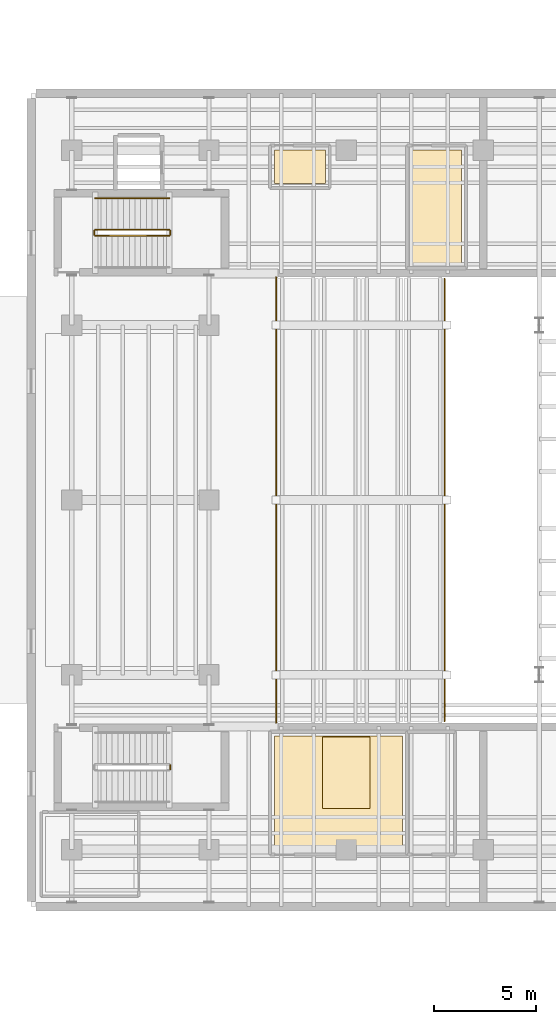
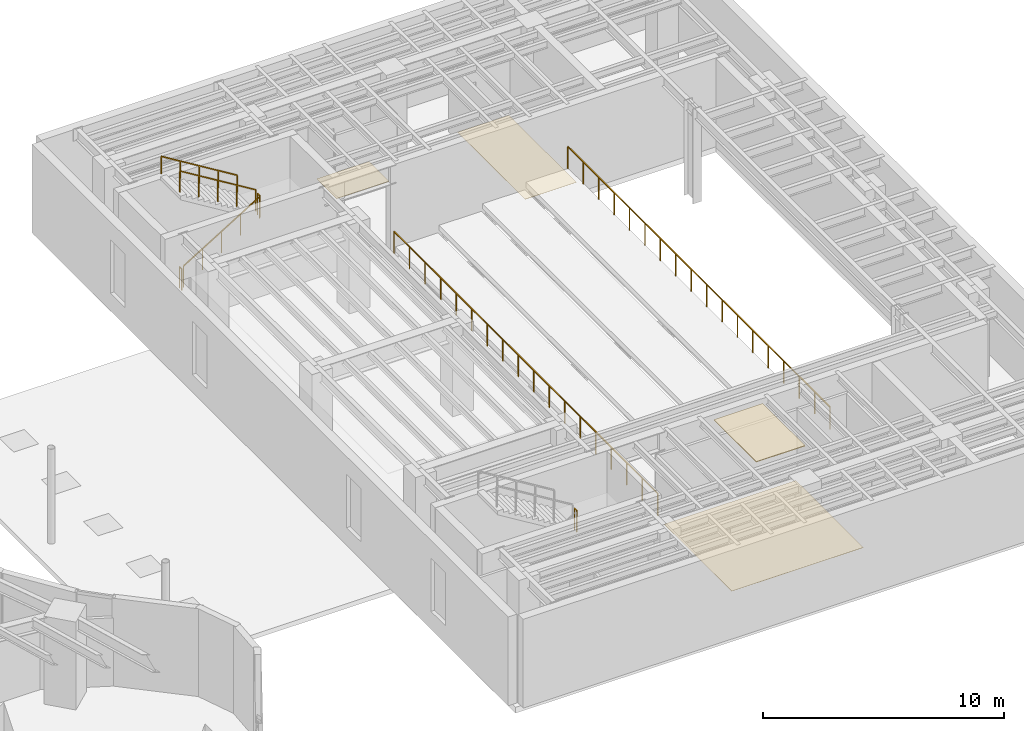
# One storey, part 24 of 24: 8 railings, 4 coverings.
"""IFC4 building model written with IfcOpenShell, lengths in metres."""

from ifc_helpers import new_model, si_unit, direction, frame, origin, origin_2d, place, context, subcontext, project, spatial, polyline, rectangle, outline, extrude, material, layer, layer_set, type_object, element, save


model = new_model("IFC4")

# Units and contexts
model_context = context("Model", 3, precision=1e-05, world=origin(), true_north=direction((0.0, 1.0)))
body_context = subcontext(model_context, "Body", "Model", "MODEL_VIEW")
ifc_project = project(units=[si_unit("LENGTHUNIT", "METRE"), si_unit("AREAUNIT", "SQUARE_METRE"), si_unit("VOLUMEUNIT", "CUBIC_METRE"), si_unit("PLANEANGLEUNIT", "RADIAN"), si_unit("MASSUNIT", "GRAM", prefix="KILO")], contexts=[model_context])

# Site, building, storey
site_placement = place(None, origin())
site = spatial("IfcSite", under=ifc_project, at=site_placement, CompositionType="ELEMENT")
building_placement = place(site_placement, origin())
building = spatial("IfcBuilding", under=site, at=building_placement, Name="Korentha Bioscience Tower", CompositionType="ELEMENT")
storey_placement = place(building_placement, frame((0.0, 0.0, 10.199951171875)))
storey = spatial("IfcBuildingStorey", under=building, at=storey_placement, Name="L02", CompositionType="ELEMENT", Elevation=10.199951171875)

# Covering
ifc_material_1 = material(Name="Vitrified Porcelain Tile", Category="ceramic")
ifc_layer_1 = layer(ifc_material_1, 0.014892578125, Name="Vitrified Porcelain Tile")
ifc_layer_set_1 = layer_set([ifc_layer_1], Name="Vitrified Porcelain Tile (FL-CER)")
covering_type_1 = type_object("IfcCoveringType", Name="Anti-Slip Ceramic Wet-Room Tile Flooring 15", PredefinedType="FLOORING", material=ifc_layer_set_1)
covering_1_placement = place(storey_placement, origin())
element("IfcCovering", 1, at=covering_1_placement, inside=storey, type_object=covering_type_1, Name="L02 L02 Theatre Accessible WC Floor Finish", PredefinedType="FLOORING", context=body_context, shape_type="SweptSolid", body=[
    extrude(outline(polyline([(76.469970703125, 42.570068359375), (76.469970703125, 44.219970703125), (78.97998046875, 44.219970703125), (78.97998046875, 42.570068359375), (76.469970703125, 42.570068359375)])), origin(), (0.0, 0.0, 1.0), 0.01513671875),
])

# Railings
ifc_material_2 = material(Name="Stainless Steel 304", Category="steel")
railing_type_1 = type_object("IfcRailingType", Name="Brushed Stainless Stair Handrail 900", PredefinedType="HANDRAIL", material=ifc_material_2)
railing_1_placement = place(storey_placement, frame((71.2900390625, 41.85009765625, 2.571533203125)))
element("IfcRailing", 2, at=railing_1_placement, inside=storey, type_object=railing_type_1, Name="L02 ST-T2 stair handrail 2", PredefinedType="HANDRAIL", context=body_context, shape_type="SweptSolid", body=[
    extrude(rectangle(XDim=0.048095703125, YDim=0.048095703125, at=origin_2d()), frame((0.0, 0.0, 0.8759765625), z_axis=(-0.852865859571, 0.0, 0.52213008492), x_axis=(0.0, -1.0, 0.0)), (0.0, 0.0, 1.0), 4.26806640625),
    extrude(rectangle(XDim=0.0419921875, YDim=0.0419921875, at=origin_2d()), origin(), (0.0, 0.0, 1.0), 0.851806640625),
    extrude(rectangle(XDim=0.0419921875, YDim=0.0419921875, at=origin_2d()), frame((-0.91015625, 0.0, 0.55712890625)), (0.0, 0.0, 1.0), 0.851806640625),
    extrude(rectangle(XDim=0.0419921875, YDim=0.0419921875, at=origin_2d()), frame((-1.820068359375, 0.0, 1.1142578125)), (0.0, 0.0, 1.0), 0.851806640625),
    extrude(rectangle(XDim=0.0419921875, YDim=0.0419921875, at=origin_2d()), frame((-2.72998046875, 0.0, 1.67138671875)), (0.0, 0.0, 1.0), 0.851806640625),
    extrude(rectangle(XDim=0.0419921875, YDim=0.0419921875, at=origin_2d()), frame((-3.64013671875, 0.0, 2.228515625)), (0.0, 0.0, 1.0), 0.851806640625),
])
ifc_material_3 = material(Name="Laminated Tempered Safety Glass", Category="glass")
railing_type_2 = type_object("IfcRailingType", Name="Laminated Glass Balcony Guardrail 1150", PredefinedType="BALUSTRADE", material=ifc_material_3)
railing_2_placement = place(storey_placement, frame((76.550048828125, 16.050048828125, 0.0)))
element("IfcRailing", 3, at=railing_2_placement, inside=storey, type_object=railing_type_2, Name="L02 Auditorium Seating Tier Front Balustrade", PredefinedType="BALUSTRADE", context=body_context, shape_type="SweptSolid", body=[
    extrude(rectangle(XDim=0.048095703125, YDim=0.048095703125, at=origin_2d()), frame((0.0, 0.0, 1.1259765625), z_axis=(0.0, 1.0, 0.0), x_axis=(-1.0, 0.0, 0.0)), (0.0, 0.0, 1.0), 21.89990234375),
    extrude(rectangle(XDim=0.0419921875, YDim=0.0419921875, at=origin_2d()), origin(), (0.0, 0.0, 1.0), 1.101806640625),
    extrude(rectangle(XDim=0.0419921875, YDim=0.0419921875, at=origin_2d()), frame((0.0, 1.288330078125, 0.0)), (0.0, 0.0, 1.0), 1.101806640625),
    extrude(rectangle(XDim=0.0419921875, YDim=0.0419921875, at=origin_2d()), frame((0.0, 2.576416015625, 0.0)), (0.0, 0.0, 1.0), 1.101806640625),
    extrude(rectangle(XDim=0.0419921875, YDim=0.0419921875, at=origin_2d()), frame((0.0, 3.86474609375, 0.0)), (0.0, 0.0, 1.0), 1.101806640625),
    extrude(rectangle(XDim=0.0419921875, YDim=0.0419921875, at=origin_2d()), frame((0.0, 5.15283203125, 0.0)), (0.0, 0.0, 1.0), 1.101806640625),
    extrude(rectangle(XDim=0.0419921875, YDim=0.0419921875, at=origin_2d()), frame((0.0, 6.441162109375, 0.0)), (0.0, 0.0, 1.0), 1.101806640625),
    extrude(rectangle(XDim=0.0419921875, YDim=0.0419921875, at=origin_2d()), frame((0.0, 7.7294921875, 0.0)), (0.0, 0.0, 1.0), 1.101806640625),
    extrude(rectangle(XDim=0.0419921875, YDim=0.0419921875, at=origin_2d()), frame((0.0, 9.017578125, 0.0)), (0.0, 0.0, 1.0), 1.101806640625),
    extrude(rectangle(XDim=0.0419921875, YDim=0.0419921875, at=origin_2d()), frame((0.0, 10.305908203125, 0.0)), (0.0, 0.0, 1.0), 1.101806640625),
    extrude(rectangle(XDim=0.0419921875, YDim=0.0419921875, at=origin_2d()), frame((0.0, 11.593994140625, 0.0)), (0.0, 0.0, 1.0), 1.101806640625),
    extrude(rectangle(XDim=0.0419921875, YDim=0.0419921875, at=origin_2d()), frame((0.0, 12.88232421875, 0.0)), (0.0, 0.0, 1.0), 1.101806640625),
    extrude(rectangle(XDim=0.0419921875, YDim=0.0419921875, at=origin_2d()), frame((0.0, 14.17041015625, 0.0)), (0.0, 0.0, 1.0), 1.101806640625),
    extrude(rectangle(XDim=0.0419921875, YDim=0.0419921875, at=origin_2d()), frame((0.0, 15.458740234375, 0.0)), (0.0, 0.0, 1.0), 1.101806640625),
    extrude(rectangle(XDim=0.0419921875, YDim=0.0419921875, at=origin_2d()), frame((0.0, 16.7470703125, 0.0)), (0.0, 0.0, 1.0), 1.101806640625),
    extrude(rectangle(XDim=0.0419921875, YDim=0.0419921875, at=origin_2d()), frame((0.0, 18.03515625, 0.0)), (0.0, 0.0, 1.0), 1.101806640625),
    extrude(rectangle(XDim=0.0419921875, YDim=0.0419921875, at=origin_2d()), frame((0.0, 19.323486328125, 0.0)), (0.0, 0.0, 1.0), 1.101806640625),
    extrude(rectangle(XDim=0.0419921875, YDim=0.0419921875, at=origin_2d()), frame((0.0, 20.611572265625, 0.0)), (0.0, 0.0, 1.0), 1.101806640625),
    extrude(rectangle(XDim=0.0419921875, YDim=0.0419921875, at=origin_2d()), frame((0.0, 21.89990234375, 0.0)), (0.0, 0.0, 1.0), 1.101806640625),
])
railing_3_placement = place(storey_placement, frame((84.840087890625, 16.1201171875, 1.43994140625)))
element("IfcRailing", 4, at=railing_3_placement, inside=storey, type_object=railing_type_2, Name="L02 Auditorium Upper Tier Balcony Balustrade", PredefinedType="BALUSTRADE", context=body_context, shape_type="SweptSolid", body=[
    extrude(rectangle(XDim=0.048095703125, YDim=0.048095703125, at=origin_2d()), frame((0.0, 0.0, 1.1259765625), z_axis=(0.0, 1.0, 0.0), x_axis=(-1.0, 0.0, 0.0)), (0.0, 0.0, 1.0), 21.759765625),
    extrude(rectangle(XDim=0.0419921875, YDim=0.0419921875, at=origin_2d()), origin(), (0.0, 0.0, 1.0), 1.101806640625),
    extrude(rectangle(XDim=0.0419921875, YDim=0.0419921875, at=origin_2d()), frame((0.0, 1.280029296875, 0.0)), (0.0, 0.0, 1.0), 1.101806640625),
    extrude(rectangle(XDim=0.0419921875, YDim=0.0419921875, at=origin_2d()), frame((0.0, 2.56005859375, 0.0)), (0.0, 0.0, 1.0), 1.101806640625),
    extrude(rectangle(XDim=0.0419921875, YDim=0.0419921875, at=origin_2d()), frame((0.0, 3.83984375, 0.0)), (0.0, 0.0, 1.0), 1.101806640625),
    extrude(rectangle(XDim=0.0419921875, YDim=0.0419921875, at=origin_2d()), frame((0.0, 5.119873046875, 0.0)), (0.0, 0.0, 1.0), 1.101806640625),
    extrude(rectangle(XDim=0.0419921875, YDim=0.0419921875, at=origin_2d()), frame((0.0, 6.39990234375, 0.0)), (0.0, 0.0, 1.0), 1.101806640625),
    extrude(rectangle(XDim=0.0419921875, YDim=0.0419921875, at=origin_2d()), frame((0.0, 7.679931640625, 0.0)), (0.0, 0.0, 1.0), 1.101806640625),
    extrude(rectangle(XDim=0.0419921875, YDim=0.0419921875, at=origin_2d()), frame((0.0, 8.9599609375, 0.0)), (0.0, 0.0, 1.0), 1.101806640625),
    extrude(rectangle(XDim=0.0419921875, YDim=0.0419921875, at=origin_2d()), frame((0.0, 10.239990234375, 0.0)), (0.0, 0.0, 1.0), 1.101806640625),
    extrude(rectangle(XDim=0.0419921875, YDim=0.0419921875, at=origin_2d()), frame((0.0, 11.519775390625, 0.0)), (0.0, 0.0, 1.0), 1.101806640625),
    extrude(rectangle(XDim=0.0419921875, YDim=0.0419921875, at=origin_2d()), frame((0.0, 12.7998046875, 0.0)), (0.0, 0.0, 1.0), 1.101806640625),
    extrude(rectangle(XDim=0.0419921875, YDim=0.0419921875, at=origin_2d()), frame((0.0, 14.079833984375, 0.0)), (0.0, 0.0, 1.0), 1.101806640625),
    extrude(rectangle(XDim=0.0419921875, YDim=0.0419921875, at=origin_2d()), frame((0.0, 15.35986328125, 0.0)), (0.0, 0.0, 1.0), 1.101806640625),
    extrude(rectangle(XDim=0.0419921875, YDim=0.0419921875, at=origin_2d()), frame((0.0, 16.639892578125, 0.0)), (0.0, 0.0, 1.0), 1.101806640625),
    extrude(rectangle(XDim=0.0419921875, YDim=0.0419921875, at=origin_2d()), frame((0.0, 17.919921875, 0.0)), (0.0, 0.0, 1.0), 1.101806640625),
    extrude(rectangle(XDim=0.0419921875, YDim=0.0419921875, at=origin_2d()), frame((0.0, 19.19970703125, 0.0)), (0.0, 0.0, 1.0), 1.101806640625),
    extrude(rectangle(XDim=0.0419921875, YDim=0.0419921875, at=origin_2d()), frame((0.0, 20.479736328125, 0.0)), (0.0, 0.0, 1.0), 1.101806640625),
    extrude(rectangle(XDim=0.0419921875, YDim=0.0419921875, at=origin_2d()), frame((0.0, 21.759765625, 0.0)), (0.0, 0.0, 1.0), 1.101806640625),
])

# Covering
ifc_material_4 = material(Name="Antimicrobial Mineral Fibre Board", Category="gypsum")
ifc_layer_2 = layer(ifc_material_4, 0.034912109375, Name="Antimicrobial Mineral Fibre Board")
ifc_layer_set_2 = layer_set([ifc_layer_2], Name="Antimicrobial Mineral Fibre Board (CL-MF35)")
covering_type_2 = type_object("IfcCoveringType", Name="Mineral-Fibre Cleanroom Suspended Ceiling 35", PredefinedType="CEILING", material=ifc_layer_set_2)
covering_2_placement = place(storey_placement, frame((0.0, 0.0, 4.465087890625)))
element("IfcCovering", 5, at=covering_2_placement, inside=storey, type_object=covering_type_2, Name="L02 L02 Soloists' Dressing Suite Acoustic Ceiling", PredefinedType="CEILING", context=body_context, shape_type="SweptSolid", body=[
    extrude(outline(polyline([(81.16943359375, 11.83056640625), (78.83056640625, 11.83056640625), (78.83056640625, 15.35009765625), (81.16943359375, 15.35009765625), (81.16943359375, 11.83056640625)])), origin(), (0.0, 0.0, 1.0), 0.034912109375),
])

# Railings
ifc_material_5 = material(Name="Painted Steel S275", Category="steel")
railing_type_3 = type_object("IfcRailingType", Name="Painted Steel Stair Well Guardrail 1100", PredefinedType="GUARDRAIL", material=ifc_material_5)
railing_4_placement = place(storey_placement, frame((71.340087890625, 13.75, 2.400146484375)))
element("IfcRailing", 6, at=railing_4_placement, inside=storey, type_object=railing_type_3, Name="L02 ST-T1 stair guard 2", PredefinedType="GUARDRAIL", context=body_context, shape_type="SweptSolid", body=[
    extrude(rectangle(XDim=0.048095703125, YDim=0.048095703125, at=origin_2d()), frame((0.0, 0.0, 1.076171875), z_axis=(0.0, 1.0, 0.0), x_axis=(-1.0, 0.0, 0.0)), (0.0, 0.0, 1.0), 0.199951171875),
    extrude(rectangle(XDim=0.0419921875, YDim=0.0419921875, at=origin_2d()), origin(), (0.0, 0.0, 1.0), 1.052001953125),
    extrude(rectangle(XDim=0.0419921875, YDim=0.0419921875, at=origin_2d()), frame((0.0, 0.199951171875, 0.0)), (0.0, 0.0, 1.0), 1.052001953125),
])
railing_5_placement = place(storey_placement, frame((67.64990234375, 40.0, 0.17138671875)))
element("IfcRailing", 7, at=railing_5_placement, inside=storey, type_object=railing_type_3, Name="L02 ST-T2 stair guard 1", PredefinedType="GUARDRAIL", context=body_context, shape_type="SweptSolid", body=[
    extrude(rectangle(XDim=0.048095703125, YDim=0.048095703125, at=origin_2d()), frame((0.0, 0.0, 1.076171875), z_axis=(0.852840387347, 0.0, 0.522171689878), x_axis=(0.0, 1.0, 0.0)), (0.0, 0.0, 1.0), 4.268310546875),
    extrude(rectangle(XDim=0.0419921875, YDim=0.0419921875, at=origin_2d()), origin(), (0.0, 0.0, 1.0), 1.052001953125),
    extrude(rectangle(XDim=0.0419921875, YDim=0.0419921875, at=origin_2d()), frame((0.91015625, 0.0, 0.55712890625)), (0.0, 0.0, 1.0), 1.052001953125),
    extrude(rectangle(XDim=0.0419921875, YDim=0.0419921875, at=origin_2d()), frame((1.820068359375, 0.0, 1.1142578125)), (0.0, 0.0, 1.0), 1.052001953125),
    extrude(rectangle(XDim=0.0419921875, YDim=0.0419921875, at=origin_2d()), frame((2.72998046875, 0.0, 1.671630859375)), (0.0, 0.0, 1.0), 1.052001953125),
    extrude(rectangle(XDim=0.0419921875, YDim=0.0419921875, at=origin_2d()), frame((3.64013671875, 0.0, 2.228759765625)), (0.0, 0.0, 1.0), 1.052001953125),
])
railing_6_placement = place(storey_placement, frame((71.340087890625, 40.050048828125, 2.400146484375)))
element("IfcRailing", 8, at=railing_6_placement, inside=storey, type_object=railing_type_3, Name="L02 ST-T2 stair guard 2", PredefinedType="GUARDRAIL", context=body_context, shape_type="SweptSolid", body=[
    extrude(rectangle(XDim=0.048095703125, YDim=0.048095703125, at=origin_2d()), frame((0.0, 0.0, 1.076171875), z_axis=(0.0, 1.0, 0.0), x_axis=(-1.0, 0.0, 0.0)), (0.0, 0.0, 1.0), 0.199951171875),
    extrude(rectangle(XDim=0.0419921875, YDim=0.0419921875, at=origin_2d()), origin(), (0.0, 0.0, 1.0), 1.052001953125),
    extrude(rectangle(XDim=0.0419921875, YDim=0.0419921875, at=origin_2d()), frame((0.0, 0.199951171875, 0.0)), (0.0, 0.0, 1.0), 1.052001953125),
])
railing_7_placement = place(storey_placement, frame((71.2900390625, 40.300048828125, 2.571533203125)))
element("IfcRailing", 9, at=railing_7_placement, inside=storey, type_object=railing_type_3, Name="L02 ST-T2 stair guard 3", PredefinedType="GUARDRAIL", context=body_context, shape_type="SweptSolid", body=[
    extrude(rectangle(XDim=0.048095703125, YDim=0.048095703125, at=origin_2d()), frame((0.0, 0.0, 1.076171875), z_axis=(-0.852865859571, 0.0, 0.52213008492), x_axis=(0.0, -1.0, 0.0)), (0.0, 0.0, 1.0), 4.26806640625),
    extrude(rectangle(XDim=0.0419921875, YDim=0.0419921875, at=origin_2d()), origin(), (0.0, 0.0, 1.0), 1.052001953125),
    extrude(rectangle(XDim=0.0419921875, YDim=0.0419921875, at=origin_2d()), frame((-0.91015625, 0.0, 0.55712890625)), (0.0, 0.0, 1.0), 1.052001953125),
    extrude(rectangle(XDim=0.0419921875, YDim=0.0419921875, at=origin_2d()), frame((-1.820068359375, 0.0, 1.1142578125)), (0.0, 0.0, 1.0), 1.052001953125),
    extrude(rectangle(XDim=0.0419921875, YDim=0.0419921875, at=origin_2d()), frame((-2.72998046875, 0.0, 1.67138671875)), (0.0, 0.0, 1.0), 1.052001953125),
    extrude(rectangle(XDim=0.0419921875, YDim=0.0419921875, at=origin_2d()), frame((-3.64013671875, 0.0, 2.228515625)), (0.0, 0.0, 1.0), 1.052001953125),
])
railing_8_placement = place(storey_placement, frame((67.60009765625, 40.050048828125, 0.0)))
element("IfcRailing", 10, at=railing_8_placement, inside=storey, type_object=railing_type_3, Name="L02 ST-T2 stair guard 4", PredefinedType="GUARDRAIL", context=body_context, shape_type="SweptSolid", body=[
    extrude(rectangle(XDim=0.048095703125, YDim=0.048095703125, at=origin_2d()), frame((0.0, 0.0, 1.076171875), z_axis=(0.0, 1.0, 0.0), x_axis=(-1.0, 0.0, 0.0)), (0.0, 0.0, 1.0), 0.199951171875),
    extrude(rectangle(XDim=0.0419921875, YDim=0.0419921875, at=origin_2d()), origin(), (0.0, 0.0, 1.0), 1.052001953125),
    extrude(rectangle(XDim=0.0419921875, YDim=0.0419921875, at=origin_2d()), frame((0.0, 0.199951171875, 0.0)), (0.0, 0.0, 1.0), 1.052001953125),
])

# Coverings
ifc_material_6 = material(Name="Chemical-Resistant Epoxy Resin", Category="polymer")
ifc_layer_3 = layer(ifc_material_6, 0.011962890625, Name="Chemical-Resistant Epoxy Resin")
ifc_layer_set_3 = layer_set([ifc_layer_3], Name="Chemical-Resistant Epoxy Resin (FL-EPX)")
covering_type_3 = type_object("IfcCoveringType", Name="Seamless Epoxy Laboratory Flooring 12", PredefinedType="FLOORING", material=ifc_layer_set_3)
covering_3_placement = place(storey_placement, origin())
element("IfcCovering", 11, at=covering_3_placement, inside=storey, type_object=covering_type_3, Name="L02 L02 Soloists' Dressing Suite Floor Finish", PredefinedType="FLOORING", context=body_context, shape_type="SweptSolid", body=[
    extrude(outline(polyline([(82.780029296875, 9.780029296875), (76.469970703125, 9.780029296875), (76.469970703125, 15.3798828125), (82.780029296875, 15.3798828125), (82.780029296875, 9.780029296875)])), origin(), (0.0, 0.0, 1.0), 0.011962890625),
])
covering_4_placement = place(storey_placement, origin())
element("IfcCovering", 12, at=covering_4_placement, inside=storey, type_object=covering_type_3, Name="L02 L02 Stage Lighting Dimmer Store Floor Finish", PredefinedType="FLOORING", context=body_context, shape_type="SweptSolid", body=[
    extrude(outline(polyline([(83.219970703125, 38.6201171875), (83.219970703125, 44.219970703125), (85.679931640625, 44.219970703125), (85.679931640625, 38.6201171875), (83.219970703125, 38.6201171875)])), origin(), (0.0, 0.0, 1.0), 0.011962890625),
])

save(model, "model.ifc")
